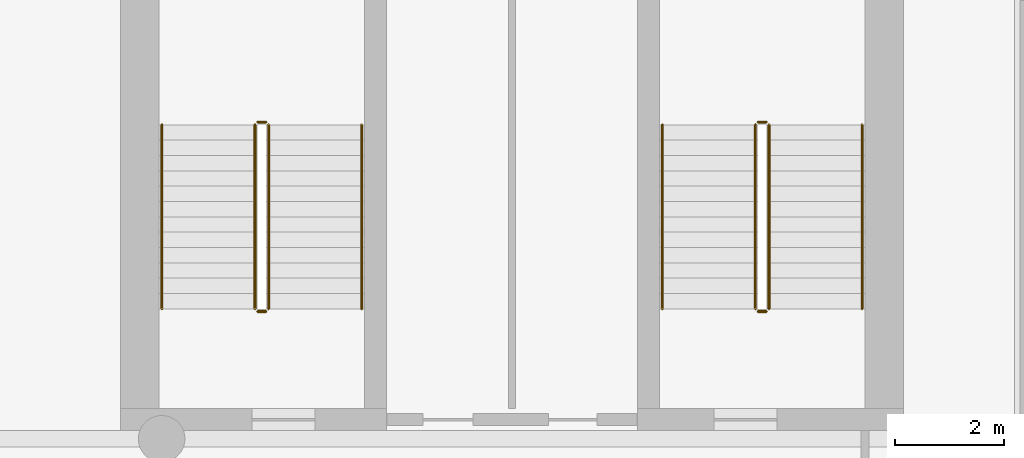
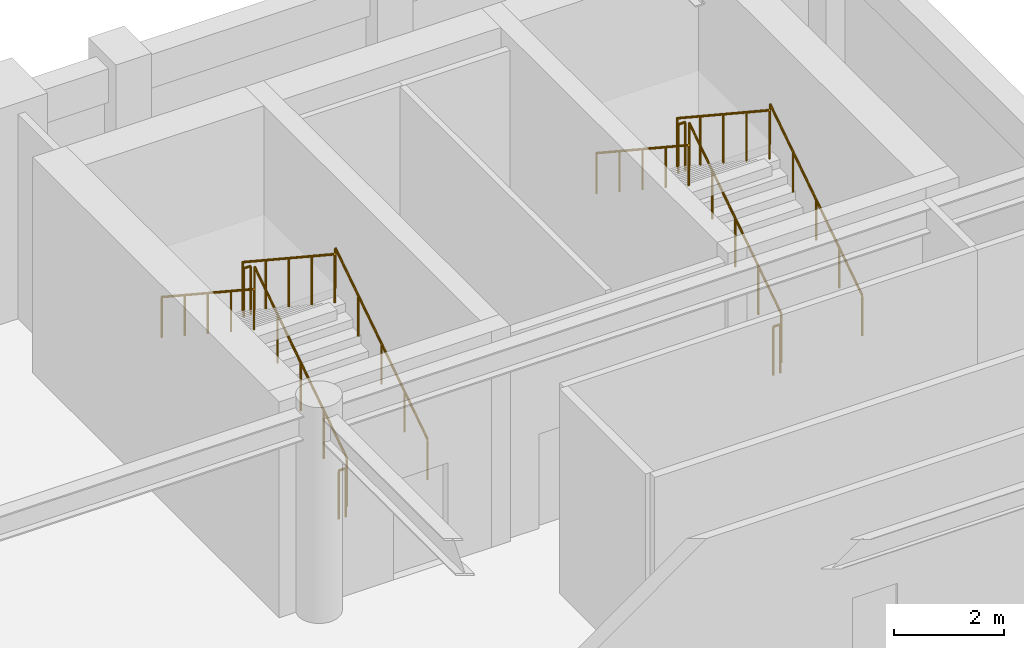
# One storey, part 10 of 10: 12 railings.
"""IFC4 building model written with IfcOpenShell, lengths in metres."""

from ifc_helpers import new_model, si_unit, direction, frame, origin, origin_2d, place, context, subcontext, project, spatial, circle, extrude, material, type_object, element, save


model = new_model("IFC4")

# Units and contexts
model_context = context("Model", 3, precision=1e-05, world=origin(), true_north=direction((0.0, 1.0)))
body_context = subcontext(model_context, "Body", "Model", "MODEL_VIEW")
ifc_project = project(units=[si_unit("LENGTHUNIT", "METRE"), si_unit("AREAUNIT", "SQUARE_METRE"), si_unit("VOLUMEUNIT", "CUBIC_METRE"), si_unit("PLANEANGLEUNIT", "RADIAN"), si_unit("MASSUNIT", "GRAM", prefix="KILO")], contexts=[model_context])

# Site, building, storey
site_placement = place(None, origin())
site = spatial("IfcSite", under=ifc_project, at=site_placement, CompositionType="ELEMENT")
building_placement = place(site_placement, origin())
building = spatial("IfcBuilding", under=site, at=building_placement, Name="Sulina Concourse Tower", CompositionType="ELEMENT")
storey_placement = place(building_placement, frame((0.0, 0.0, 243.800048828125)))
storey = spatial("IfcBuildingStorey", under=building, at=storey_placement, Name="L59", CompositionType="ELEMENT", Elevation=243.800048828125)

# Railings
ifc_material_1 = material(Name="Galvanised steel railing", Category="steel")
railing_type_1 = type_object("IfcRailingType", Name="Core Stair Steel Guardrail 1150mm", PredefinedType="GUARDRAIL", material=ifc_material_1)
railing_1_placement = place(storey_placement, frame((43.554931640625, 36.375, 0.1845703125)))
element("IfcRailing", 1, at=railing_1_placement, inside=storey, type_object=railing_type_1, Name="L59 ST-3 stair guard 1", PredefinedType="GUARDRAIL", context=body_context, shape_type="SweptSolid", body=[
    extrude(circle(Radius=0.02392578125, at=origin_2d()), frame((0.0, 0.0, 1.076171875), z_axis=(0.0, 0.834876476806, 0.550437342915), x_axis=(-1.0, 0.0, 0.0)), (0.0, 0.0, 1.0), 4.024658203125),
    extrude(circle(Radius=0.02099609375, at=origin_2d()), origin(), (0.0, 0.0, 1.0), 1.052001953125),
    extrude(circle(Radius=0.02099609375, at=origin_2d()), frame((0.0, 0.840087890625, 0.5537109375)), (0.0, 0.0, 1.0), 1.052001953125),
    extrude(circle(Radius=0.02099609375, at=origin_2d()), frame((0.0, 1.68017578125, 1.107666015625)), (0.0, 0.0, 1.0), 1.052001953125),
    extrude(circle(Radius=0.02099609375, at=origin_2d()), frame((0.0, 2.52001953125, 1.66162109375)), (0.0, 0.0, 1.0), 1.052001953125),
    extrude(circle(Radius=0.02099609375, at=origin_2d()), frame((0.0, 3.360107421875, 2.21533203125)), (0.0, 0.0, 1.0), 1.052001953125),
])
railing_2_placement = place(storey_placement, frame((43.5048828125, 39.784912109375, 2.39990234375)))
element("IfcRailing", 2, at=railing_2_placement, inside=storey, type_object=railing_type_1, Name="L59 ST-3 stair guard 2", PredefinedType="GUARDRAIL", context=body_context, shape_type="SweptSolid", body=[
    extrude(circle(Radius=0.02392578125, at=origin_2d()), frame((0.0, 0.0, 1.076171875), z_axis=(-1.0, 0.0, 0.0), x_axis=(0.0, -1.0, 0.0)), (0.0, 0.0, 1.0), 0.14990234375),
    extrude(circle(Radius=0.02099609375, at=origin_2d()), origin(), (0.0, 0.0, 1.0), 1.052001953125),
    extrude(circle(Radius=0.02099609375, at=origin_2d()), frame((-0.14990234375, 0.0, 0.0)), (0.0, 0.0, 1.0), 1.052001953125),
])
railing_3_placement = place(storey_placement, frame((43.304931640625, 39.735107421875, 2.58447265625)))
element("IfcRailing", 3, at=railing_3_placement, inside=storey, type_object=railing_type_1, Name="L59 ST-3 stair guard 3", PredefinedType="GUARDRAIL", context=body_context, shape_type="SweptSolid", body=[
    extrude(circle(Radius=0.02392578125, at=origin_2d()), frame((0.0, 0.0, 1.076171875), z_axis=(0.0, -0.834848600103, 0.550479622607), x_axis=(1.0, 0.0, 0.0)), (0.0, 0.0, 1.0), 4.02490234375),
    extrude(circle(Radius=0.02099609375, at=origin_2d()), origin(), (0.0, 0.0, 1.0), 1.052001953125),
    extrude(circle(Radius=0.02099609375, at=origin_2d()), frame((0.0, -0.840087890625, 0.553955078125)), (0.0, 0.0, 1.0), 1.052001953125),
    extrude(circle(Radius=0.02099609375, at=origin_2d()), frame((0.0, -1.68017578125, 1.10791015625)), (0.0, 0.0, 1.0), 1.052001953125),
    extrude(circle(Radius=0.02099609375, at=origin_2d()), frame((0.0, -2.52001953125, 1.66162109375)), (0.0, 0.0, 1.0), 1.052001953125),
    extrude(circle(Radius=0.02099609375, at=origin_2d()), frame((0.0, -3.360107421875, 2.215576171875)), (0.0, 0.0, 1.0), 1.052001953125),
])
railing_4_placement = place(storey_placement, frame((43.5048828125, 36.324951171875, 0.0)))
element("IfcRailing", 4, at=railing_4_placement, inside=storey, type_object=railing_type_1, Name="L59 ST-3 stair guard 4", PredefinedType="GUARDRAIL", context=body_context, shape_type="SweptSolid", body=[
    extrude(circle(Radius=0.02392578125, at=origin_2d()), frame((0.0, 0.0, 1.076171875), z_axis=(-1.0, 0.0, 0.0), x_axis=(0.0, -1.0, 0.0)), (0.0, 0.0, 1.0), 0.14990234375),
    extrude(circle(Radius=0.02099609375, at=origin_2d()), origin(), (0.0, 0.0, 1.0), 1.052001953125),
    extrude(circle(Radius=0.02099609375, at=origin_2d()), frame((-0.14990234375, 0.0, 0.0)), (0.0, 0.0, 1.0), 1.052001953125),
])
railing_5_placement = place(storey_placement, frame((52.695068359375, 36.375, 0.1845703125)))
element("IfcRailing", 5, at=railing_5_placement, inside=storey, type_object=railing_type_1, Name="L59 ST-4 stair guard 1", PredefinedType="GUARDRAIL", context=body_context, shape_type="SweptSolid", body=[
    extrude(circle(Radius=0.02392578125, at=origin_2d()), frame((0.0, 0.0, 1.076171875), z_axis=(0.0, 0.834876476806, 0.550437342915), x_axis=(-1.0, 0.0, 0.0)), (0.0, 0.0, 1.0), 4.024658203125),
    extrude(circle(Radius=0.02099609375, at=origin_2d()), origin(), (0.0, 0.0, 1.0), 1.052001953125),
    extrude(circle(Radius=0.02099609375, at=origin_2d()), frame((0.0, 0.840087890625, 0.5537109375)), (0.0, 0.0, 1.0), 1.052001953125),
    extrude(circle(Radius=0.02099609375, at=origin_2d()), frame((0.0, 1.68017578125, 1.107666015625)), (0.0, 0.0, 1.0), 1.052001953125),
    extrude(circle(Radius=0.02099609375, at=origin_2d()), frame((0.0, 2.52001953125, 1.66162109375)), (0.0, 0.0, 1.0), 1.052001953125),
    extrude(circle(Radius=0.02099609375, at=origin_2d()), frame((0.0, 3.360107421875, 2.21533203125)), (0.0, 0.0, 1.0), 1.052001953125),
])
railing_6_placement = place(storey_placement, frame((52.64501953125, 39.784912109375, 2.39990234375)))
element("IfcRailing", 6, at=railing_6_placement, inside=storey, type_object=railing_type_1, Name="L59 ST-4 stair guard 2", PredefinedType="GUARDRAIL", context=body_context, shape_type="SweptSolid", body=[
    extrude(circle(Radius=0.02392578125, at=origin_2d()), frame((0.0, 0.0, 1.076171875), z_axis=(-1.0, 0.0, 0.0), x_axis=(0.0, -1.0, 0.0)), (0.0, 0.0, 1.0), 0.14990234375),
    extrude(circle(Radius=0.02099609375, at=origin_2d()), origin(), (0.0, 0.0, 1.0), 1.052001953125),
    extrude(circle(Radius=0.02099609375, at=origin_2d()), frame((-0.14990234375, 0.0, 0.0)), (0.0, 0.0, 1.0), 1.052001953125),
])
railing_7_placement = place(storey_placement, frame((52.445068359375, 39.735107421875, 2.58447265625)))
element("IfcRailing", 7, at=railing_7_placement, inside=storey, type_object=railing_type_1, Name="L59 ST-4 stair guard 3", PredefinedType="GUARDRAIL", context=body_context, shape_type="SweptSolid", body=[
    extrude(circle(Radius=0.02392578125, at=origin_2d()), frame((0.0, 0.0, 1.076171875), z_axis=(0.0, -0.834848600103, 0.550479622607), x_axis=(1.0, 0.0, 0.0)), (0.0, 0.0, 1.0), 4.02490234375),
    extrude(circle(Radius=0.02099609375, at=origin_2d()), origin(), (0.0, 0.0, 1.0), 1.052001953125),
    extrude(circle(Radius=0.02099609375, at=origin_2d()), frame((0.0, -0.840087890625, 0.553955078125)), (0.0, 0.0, 1.0), 1.052001953125),
    extrude(circle(Radius=0.02099609375, at=origin_2d()), frame((0.0, -1.68017578125, 1.10791015625)), (0.0, 0.0, 1.0), 1.052001953125),
    extrude(circle(Radius=0.02099609375, at=origin_2d()), frame((0.0, -2.52001953125, 1.66162109375)), (0.0, 0.0, 1.0), 1.052001953125),
    extrude(circle(Radius=0.02099609375, at=origin_2d()), frame((0.0, -3.360107421875, 2.215576171875)), (0.0, 0.0, 1.0), 1.052001953125),
])
railing_8_placement = place(storey_placement, frame((52.64501953125, 36.324951171875, 0.0)))
element("IfcRailing", 8, at=railing_8_placement, inside=storey, type_object=railing_type_1, Name="L59 ST-4 stair guard 4", PredefinedType="GUARDRAIL", context=body_context, shape_type="SweptSolid", body=[
    extrude(circle(Radius=0.02392578125, at=origin_2d()), frame((0.0, 0.0, 1.076171875), z_axis=(-1.0, 0.0, 0.0), x_axis=(0.0, -1.0, 0.0)), (0.0, 0.0, 1.0), 0.14990234375),
    extrude(circle(Radius=0.02099609375, at=origin_2d()), origin(), (0.0, 0.0, 1.0), 1.052001953125),
    extrude(circle(Radius=0.02099609375, at=origin_2d()), frame((-0.14990234375, 0.0, 0.0)), (0.0, 0.0, 1.0), 1.052001953125),
])
ifc_material_2 = material(Name="Galvanised steel railing", Category="steel")
railing_type_2 = type_object("IfcRailingType", Name="Stair Wall Steel Handrail 920mm", PredefinedType="HANDRAIL", material=ifc_material_2)
railing_9_placement = place(storey_placement, frame((45.2548828125, 36.375, 0.1845703125)))
element("IfcRailing", 9, at=railing_9_placement, inside=storey, type_object=railing_type_2, Name="L59 ST-3 stair handrail 1", PredefinedType="HANDRAIL", context=body_context, shape_type="SweptSolid", body=[
    extrude(circle(Radius=0.02392578125, at=origin_2d()), frame((0.0, 0.0, 0.89599609375), z_axis=(0.0, 0.834876476806, 0.550437342915), x_axis=(-1.0, 0.0, 0.0)), (0.0, 0.0, 1.0), 4.024658203125),
    extrude(circle(Radius=0.02099609375, at=origin_2d()), origin(), (0.0, 0.0, 1.0), 0.871826171875),
    extrude(circle(Radius=0.02099609375, at=origin_2d()), frame((0.0, 0.840087890625, 0.5537109375)), (0.0, 0.0, 1.0), 0.871826171875),
    extrude(circle(Radius=0.02099609375, at=origin_2d()), frame((0.0, 1.68017578125, 1.107666015625)), (0.0, 0.0, 1.0), 0.871826171875),
    extrude(circle(Radius=0.02099609375, at=origin_2d()), frame((0.0, 2.52001953125, 1.66162109375)), (0.0, 0.0, 1.0), 0.871826171875),
    extrude(circle(Radius=0.02099609375, at=origin_2d()), frame((0.0, 3.360107421875, 2.21533203125)), (0.0, 0.0, 1.0), 0.871826171875),
])
railing_10_placement = place(storey_placement, frame((41.60498046875, 39.735107421875, 2.58447265625)))
element("IfcRailing", 10, at=railing_10_placement, inside=storey, type_object=railing_type_2, Name="L59 ST-3 stair handrail 2", PredefinedType="HANDRAIL", context=body_context, shape_type="SweptSolid", body=[
    extrude(circle(Radius=0.02392578125, at=origin_2d()), frame((0.0, 0.0, 0.89599609375), z_axis=(0.0, -0.834848600103, 0.550479622607), x_axis=(1.0, 0.0, 0.0)), (0.0, 0.0, 1.0), 4.02490234375),
    extrude(circle(Radius=0.02099609375, at=origin_2d()), origin(), (0.0, 0.0, 1.0), 0.871826171875),
    extrude(circle(Radius=0.02099609375, at=origin_2d()), frame((0.0, -0.840087890625, 0.553955078125)), (0.0, 0.0, 1.0), 0.871826171875),
    extrude(circle(Radius=0.02099609375, at=origin_2d()), frame((0.0, -1.68017578125, 1.10791015625)), (0.0, 0.0, 1.0), 0.871826171875),
    extrude(circle(Radius=0.02099609375, at=origin_2d()), frame((0.0, -2.52001953125, 1.66162109375)), (0.0, 0.0, 1.0), 0.871826171875),
    extrude(circle(Radius=0.02099609375, at=origin_2d()), frame((0.0, -3.360107421875, 2.215576171875)), (0.0, 0.0, 1.0), 0.871826171875),
])
railing_11_placement = place(storey_placement, frame((54.39501953125, 36.375, 0.1845703125)))
element("IfcRailing", 11, at=railing_11_placement, inside=storey, type_object=railing_type_2, Name="L59 ST-4 stair handrail 1", PredefinedType="HANDRAIL", context=body_context, shape_type="SweptSolid", body=[
    extrude(circle(Radius=0.02392578125, at=origin_2d()), frame((0.0, 0.0, 0.89599609375), z_axis=(0.0, 0.834876476806, 0.550437342915), x_axis=(-1.0, 0.0, 0.0)), (0.0, 0.0, 1.0), 4.024658203125),
    extrude(circle(Radius=0.02099609375, at=origin_2d()), origin(), (0.0, 0.0, 1.0), 0.871826171875),
    extrude(circle(Radius=0.02099609375, at=origin_2d()), frame((0.0, 0.840087890625, 0.5537109375)), (0.0, 0.0, 1.0), 0.871826171875),
    extrude(circle(Radius=0.02099609375, at=origin_2d()), frame((0.0, 1.68017578125, 1.107666015625)), (0.0, 0.0, 1.0), 0.871826171875),
    extrude(circle(Radius=0.02099609375, at=origin_2d()), frame((0.0, 2.52001953125, 1.66162109375)), (0.0, 0.0, 1.0), 0.871826171875),
    extrude(circle(Radius=0.02099609375, at=origin_2d()), frame((0.0, 3.360107421875, 2.21533203125)), (0.0, 0.0, 1.0), 0.871826171875),
])
railing_12_placement = place(storey_placement, frame((50.7451171875, 39.735107421875, 2.58447265625)))
element("IfcRailing", 12, at=railing_12_placement, inside=storey, type_object=railing_type_2, Name="L59 ST-4 stair handrail 2", PredefinedType="HANDRAIL", context=body_context, shape_type="SweptSolid", body=[
    extrude(circle(Radius=0.02392578125, at=origin_2d()), frame((0.0, 0.0, 0.89599609375), z_axis=(0.0, -0.834848600103, 0.550479622607), x_axis=(1.0, 0.0, 0.0)), (0.0, 0.0, 1.0), 4.02490234375),
    extrude(circle(Radius=0.02099609375, at=origin_2d()), origin(), (0.0, 0.0, 1.0), 0.871826171875),
    extrude(circle(Radius=0.02099609375, at=origin_2d()), frame((0.0, -0.840087890625, 0.553955078125)), (0.0, 0.0, 1.0), 0.871826171875),
    extrude(circle(Radius=0.02099609375, at=origin_2d()), frame((0.0, -1.68017578125, 1.10791015625)), (0.0, 0.0, 1.0), 0.871826171875),
    extrude(circle(Radius=0.02099609375, at=origin_2d()), frame((0.0, -2.52001953125, 1.66162109375)), (0.0, 0.0, 1.0), 0.871826171875),
    extrude(circle(Radius=0.02099609375, at=origin_2d()), frame((0.0, -3.360107421875, 2.215576171875)), (0.0, 0.0, 1.0), 0.871826171875),
])

save(model, "model.ifc")
